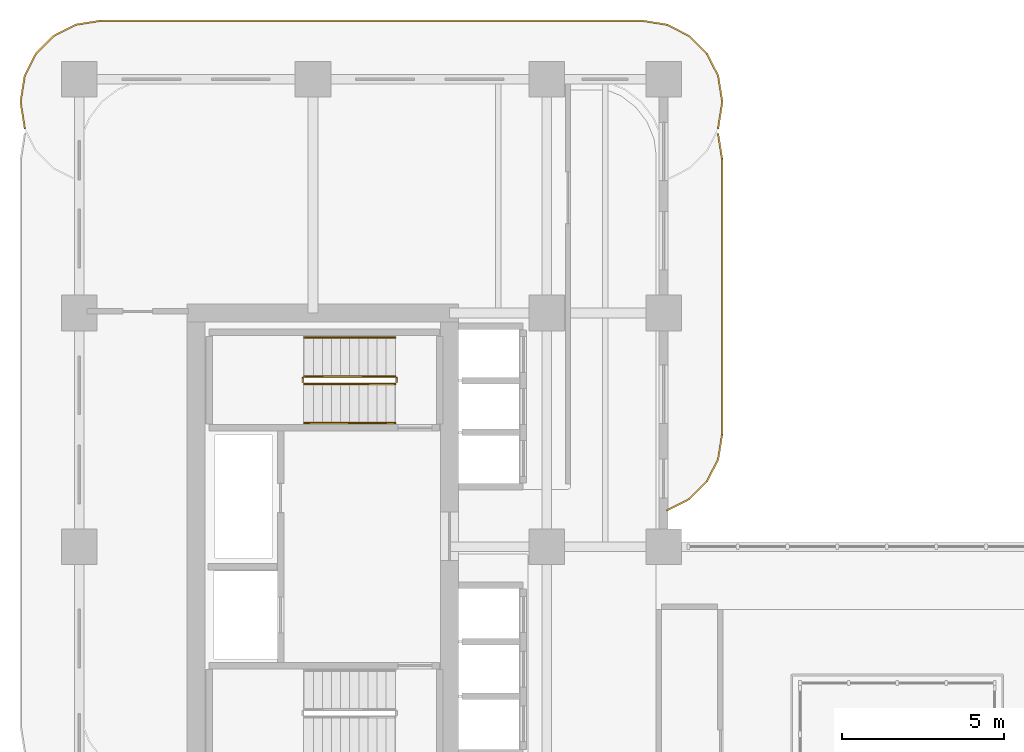
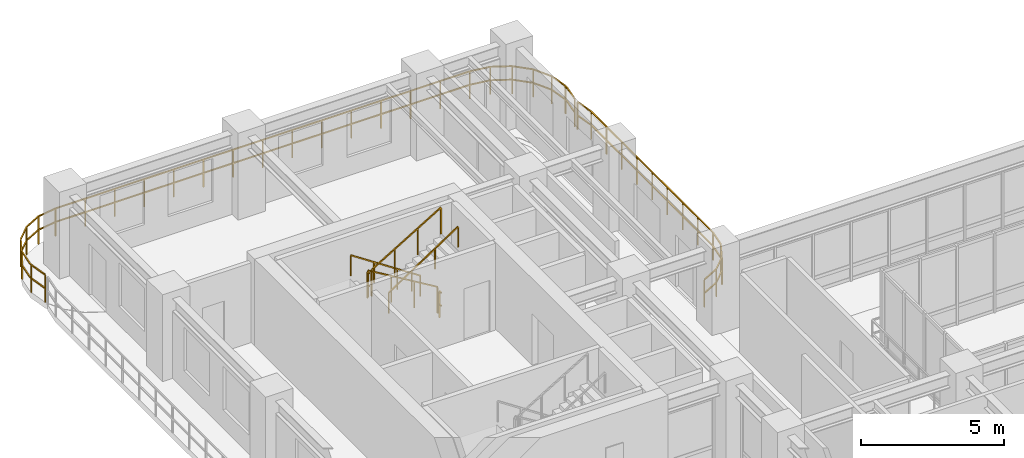
# One storey, part 19 of 19: 8 railings.
"""IFC4 building model written with IfcOpenShell, lengths in metres."""

import ifcopenshell
import ifcopenshell.guid

model = None  # the IFC model being written
_history = None  # IfcOwnerHistory: only IFC2X3 demands one
_inside = {}  # id of a spatial element -> (the spatial element, [elements in it])
_under = {}  # id of a project, library or spatial element -> (it, [spatial elements below it])
_declared = {}  # id of a project -> (the project, [libraries it declares])
_typed = {}  # id of a type object -> (the type object, [elements of that type])
_made_of = {}  # id of a material, layer set ... -> (it, [elements and type objects made of it])


def new_model(schema):
    """Start an empty IFC model of exactly this schema.

    Asked for "IFC4X3", IfcOpenShell would pick the latest addendum, in which some entities
    have other attributes; the version numbers below select the first issue.
    IFC2X3 requires an IfcOwnerHistory on every rooted entity: one is made here for all.
    """
    global model, _history
    if schema == "IFC4X3":
        model = ifcopenshell.file(schema_version=(4, 3, 0, 0))
    else:
        model = ifcopenshell.file(schema=schema)
    _inside.clear()
    _under.clear()
    _declared.clear()
    _typed.clear()
    _made_of.clear()
    _history = None
    if model.schema == "IFC2X3":
        org = make("IfcOrganization", Name="unknown")
        user = make(
            "IfcPersonAndOrganization",
            ThePerson=make("IfcPerson", FamilyName="unknown"),
            TheOrganization=org,
        )
        app = make(
            "IfcApplication",
            ApplicationDeveloper=org,
            Version="unknown",
            ApplicationFullName="unknown",
            ApplicationIdentifier="unknown",
        )
        _history = make(
            "IfcOwnerHistory",
            OwningUser=user,
            OwningApplication=app,
            ChangeAction="ADDED",
            CreationDate=0,
        )
    return model


def make(cls, **values):
    """One entity of the class cls with the attributes given. An attribute that is None is left unset."""
    return model.create_entity(
        cls, **{name: value for name, value in values.items() if value is not None}
    )


def rooted(cls, **values):
    """An entity with a GlobalId (a new one), such as an element, a storey or a relation."""
    return make(cls, GlobalId=ifcopenshell.guid.new(), OwnerHistory=_history, **values)


def si_unit(unit_type, name, prefix=None):
    """IfcSIUnit, for example si_unit("LENGTHUNIT", "METRE", prefix="MILLI")."""
    return make("IfcSIUnit", UnitType=unit_type, Prefix=prefix, Name=name)


def derived_unit(unit_type, elements):
    """IfcDerivedUnit: a product of units, each with its exponent."""
    return make(
        "IfcDerivedUnit",
        Elements=[
            make("IfcDerivedUnitElement", Unit=unit, Exponent=power)
            for unit, power in elements
        ],
        UnitType=unit_type,
    )


def assignment(units):
    """IfcUnitAssignment: the units of a project."""
    return None if units is None else make("IfcUnitAssignment", Units=units)


def point(xyz):
    """IfcCartesianPoint."""
    return None if xyz is None else make("IfcCartesianPoint", Coordinates=xyz)


def direction(xyz):
    """IfcDirection."""
    return None if xyz is None else make("IfcDirection", DirectionRatios=xyz)


def frame(location, z_axis=None, x_axis=None):
    """IfcAxis2Placement3D, a coordinate frame: its origin and axes. An axis left out is left unset."""
    return make(
        "IfcAxis2Placement3D",
        Location=point(location),
        Axis=direction(z_axis),
        RefDirection=direction(x_axis),
    )


def frame_2d(location, x_axis=None):
    """IfcAxis2Placement2D, a coordinate frame in the plane: its origin and x axis."""
    return make(
        "IfcAxis2Placement2D", Location=point(location), RefDirection=direction(x_axis)
    )


def origin():
    """The frame at (0, 0, 0) with its axes left unset."""
    return frame((0.0, 0.0, 0.0))


def origin_2d():
    """The frame at (0, 0) in the plane with its x axis left unset."""
    return frame_2d((0.0, 0.0))


def place(relative_to, where):
    """IfcLocalPlacement: puts the frame where relative to a parent placement (None: the world)."""
    return make(
        "IfcLocalPlacement", PlacementRelTo=relative_to, RelativePlacement=where
    )


def context(
    kind, dimensions, precision=None, world=None, true_north=None, identifier=None
):
    """IfcGeometricRepresentationContext, for example the 3D "Model" context."""
    return make(
        "IfcGeometricRepresentationContext",
        ContextIdentifier=identifier,
        ContextType=kind,
        CoordinateSpaceDimension=dimensions,
        Precision=precision,
        WorldCoordinateSystem=world,
        TrueNorth=true_north,
    )


def subcontext(parent, identifier, kind, view, scale=None):
    """IfcGeometricRepresentationSubContext, for example "Body" below "Model"."""
    return make(
        "IfcGeometricRepresentationSubContext",
        ContextIdentifier=identifier,
        ContextType=kind,
        ParentContext=parent,
        TargetScale=scale,
        TargetView=view,
    )


def project(units=None, contexts=None):
    """IfcProject with its units and contexts."""
    return rooted(
        "IfcProject",
        Name="project",
        RepresentationContexts=contexts,
        UnitsInContext=assignment(units),
    )


def spatial(cls, under=None, at=None, **own):
    """A site, building, storey or space (cls), placed at a placement, below another one or the project."""
    s = rooted(cls, ObjectPlacement=at, **own)
    if under is not None:
        _under.setdefault(under.id(), (under, []))[1].append(s)
    return s


def profile(cls, at=None, kind="AREA", **sizes):
    """A parametric profile (cls). Its sizes go by their IFC names, for example OverallWidth=200.0."""
    return make(cls, ProfileType=kind, Position=at, **sizes)


def rectangle(**sizes):
    """IfcRectangleProfileDef."""
    return profile("IfcRectangleProfileDef", **sizes)


def extrude(swept, where, along, depth):
    """IfcExtrudedAreaSolid: the profile swept, set in the frame where, extruded along a direction by depth."""
    return make(
        "IfcExtrudedAreaSolid",
        SweptArea=swept,
        Position=where,
        ExtrudedDirection=direction(along),
        Depth=depth,
    )


def shape(context_of_items, identifier, shape_type, items):
    """IfcShapeRepresentation: the items that make up one representation, for example the "Body"."""
    return make(
        "IfcShapeRepresentation",
        ContextOfItems=context_of_items,
        RepresentationIdentifier=identifier,
        RepresentationType=shape_type,
        Items=items,
    )


def material(Name=None, Category=None):
    """IfcMaterial."""
    return make("IfcMaterial", Name=Name, Category=Category)


def made_of(thing, what):
    """Note that an element or type object is made of a material, layer set ...; save() writes the relation."""
    if what is not None:
        _made_of.setdefault(what.id(), (what, []))[1].append(thing)
    return thing


def type_object(cls, material=None, **own):
    """A type object (cls), such as IfcWallType, which elements share."""
    return made_of(rooted(cls, **own), material)


def element(
    cls,
    number,
    at=None,
    inside=None,
    cuts=None,
    type_object=None,
    material=None,
    context=None,
    identifier="Body",
    shape_type=None,
    held_by="IfcProductDefinitionShape",
    body=None,
    shapes=None,
    **own,
):
    """One element of the class cls, such as IfcWall. Its Tag is "e" and its number.

    at: its placement. inside: the storey or other place that contains it. cuts: it is an
    opening in that element (IfcRelVoidsElement). A single representation is given by context,
    identifier, shape_type and body (its items); several are given by shapes. held_by: the class
    of the entity that holds the representations. save() writes the other relations.
    """
    e = rooted(cls, Tag="e%d" % number, ObjectPlacement=at, **own)
    if body is not None:
        shapes = [shape(context, identifier, shape_type, body)]
    if shapes is not None:
        e.Representation = make(held_by, Representations=shapes)
    if inside is not None:
        _inside.setdefault(inside.id(), (inside, []))[1].append(e)
    if cuts is not None:
        rooted(
            "IfcRelVoidsElement", RelatingBuildingElement=cuts, RelatedOpeningElement=e
        )
    if type_object is not None:
        _typed.setdefault(type_object.id(), (type_object, []))[1].append(e)
    return made_of(e, material)


def aggregate(whole, parts):
    """IfcRelAggregates: a whole, such as a stair, and the parts it consists of."""
    return rooted("IfcRelAggregates", RelatingObject=whole, RelatedObjects=parts)


def save(model, path):
    """Write the relations noted so far, then the file.

    IfcRelAggregates (storeys below a building ...), IfcRelContainedInSpatialStructure (elements
    in a storey), IfcRelDefinesByType, IfcRelAssociatesMaterial and IfcRelDeclares: one each for
    every whole, place, type object, material and project.
    """
    for whole, parts in _under.values():
        aggregate(whole, parts)
    for where, things in _inside.values():
        rooted(
            "IfcRelContainedInSpatialStructure",
            RelatedElements=things,
            RelatingStructure=where,
        )
    for kind, things in _typed.values():
        rooted("IfcRelDefinesByType", RelatedObjects=things, RelatingType=kind)
    for what, things in _made_of.values():
        rooted("IfcRelAssociatesMaterial", RelatedObjects=things, RelatingMaterial=what)
    for by, libraries in _declared.values():
        rooted("IfcRelDeclares", RelatingContext=by, RelatedDefinitions=libraries)
    model.write(path)


model = new_model("IFC4")

# Units and contexts
model_context = context("Model", 3, precision=1e-05, world=origin(), true_north=direction((0.0, 1.0)))
body_context = subcontext(model_context, "Body", "Model", "MODEL_VIEW")
ifc_project = project(units=[si_unit("LENGTHUNIT", "METRE"), si_unit("AREAUNIT", "SQUARE_METRE"), si_unit("VOLUMEUNIT", "CUBIC_METRE"), si_unit("PLANEANGLEUNIT", "RADIAN"), si_unit("MASSUNIT", "GRAM", prefix="KILO"), si_unit("THERMODYNAMICTEMPERATUREUNIT", "KELVIN"), si_unit("POWERUNIT", "WATT"), derived_unit("THERMALTRANSMITTANCEUNIT", [(si_unit("POWERUNIT", "WATT"), 1), (si_unit("AREAUNIT", "SQUARE_METRE"), -1), (si_unit("THERMODYNAMICTEMPERATUREUNIT", "KELVIN"), -1)])], contexts=[model_context])

# Site, building, storey
site_placement = place(None, origin())
site = spatial("IfcSite", under=ifc_project, at=site_placement, CompositionType="ELEMENT")
building_placement = place(site_placement, origin())
building = spatial("IfcBuilding", under=site, at=building_placement, Name="Zahravan Archway Hotel and Residences", CompositionType="ELEMENT")
storey_placement = place(building_placement, frame((0.0, 0.0, 102.699951171875)))
storey = spatial("IfcBuildingStorey", under=building, at=storey_placement, Name="L25", CompositionType="ELEMENT", Elevation=102.699951171875)

# Railings
ifc_material_1 = material(Name="Bronze & Laminated Glass Balustrade", Category="glass")
railing_type_1 = type_object("IfcRailingType", Name="RL-BAL-1200", PredefinedType="BALUSTRADE", material=ifc_material_1)
railing_1_placement = place(storey_placement, frame((-1.68017578125, 45.29296875, 0.0)))
element("IfcRailing", 1, at=railing_1_placement, inside=storey, type_object=railing_type_1, Name="L25 Balustrade RL-SLB-BAL-L25-NB-1", PredefinedType="BALUSTRADE", context=body_context, shape_type="SweptSolid", body=[
    extrude(rectangle(XDim=0.048095703125, YDim=0.048095703125, at=origin_2d()), frame((0.0, 0.0, 1.17578125), z_axis=(-0.156387811283, 0.987695728695, 0.0), x_axis=(-0.987695728695, -0.156387811283, 0.0)), (0.0, 0.0, 1.0), 0.7666015625),
    extrude(rectangle(XDim=0.048095703125, YDim=0.048095703125, at=origin_2d()), frame((0.0, 0.0, 0.60009765625), z_axis=(-0.156387811283, 0.987695728695, 0.0), x_axis=(-0.987695728695, -0.156387811283, 0.0)), (0.0, 0.0, 1.0), 0.7666015625),
    extrude(rectangle(XDim=0.048095703125, YDim=0.048095703125, at=origin_2d()), frame((-0.119873046875, 0.757080078125, 1.17578125), z_axis=(0.0, 1.0, 0.0), x_axis=(-1.0, 0.0, 0.0)), (0.0, 0.0, 1.0), 0.099853515625),
    extrude(rectangle(XDim=0.048095703125, YDim=0.048095703125, at=origin_2d()), frame((-0.119873046875, 0.757080078125, 0.60009765625), z_axis=(0.0, 1.0, 0.0), x_axis=(-1.0, 0.0, 0.0)), (0.0, 0.0, 1.0), 0.099853515625),
    extrude(rectangle(XDim=0.048095703125, YDim=0.048095703125, at=origin_2d()), frame((-0.119873046875, 0.85693359375, 1.17578125), z_axis=(0.156387811283, 0.987695728695, 0.0), x_axis=(-0.987695728695, 0.156387811283, 0.0)), (0.0, 0.0, 1.0), 0.7666015625),
    extrude(rectangle(XDim=0.048095703125, YDim=0.048095703125, at=origin_2d()), frame((-0.119873046875, 0.85693359375, 0.60009765625), z_axis=(0.156387811283, 0.987695728695, 0.0), x_axis=(-0.987695728695, 0.156387811283, 0.0)), (0.0, 0.0, 1.0), 0.7666015625),
    extrude(rectangle(XDim=0.048095703125, YDim=0.048095703125, at=origin_2d()), frame((0.0, 1.614013671875, 1.17578125), z_axis=(0.454078418624, 0.890961721815, 0.0), x_axis=(-0.890961721815, 0.454078418624, 0.0)), (0.0, 0.0, 1.0), 0.7666015625),
    extrude(rectangle(XDim=0.048095703125, YDim=0.048095703125, at=origin_2d()), frame((0.0, 1.614013671875, 0.60009765625), z_axis=(0.454078418624, 0.890961721815, 0.0), x_axis=(-0.890961721815, 0.454078418624, 0.0)), (0.0, 0.0, 1.0), 0.7666015625),
    extrude(rectangle(XDim=0.048095703125, YDim=0.048095703125, at=origin_2d()), frame((0.34814453125, 2.297119140625, 1.17578125), z_axis=(0.707106781187, 0.707106781187, 0.0), x_axis=(-0.707106781187, 0.707106781187, 0.0)), (0.0, 0.0, 1.0), 0.7666015625),
    extrude(rectangle(XDim=0.048095703125, YDim=0.048095703125, at=origin_2d()), frame((0.34814453125, 2.297119140625, 0.60009765625), z_axis=(0.707106781187, 0.707106781187, 0.0), x_axis=(-0.707106781187, 0.707106781187, 0.0)), (0.0, 0.0, 1.0), 0.7666015625),
    extrude(rectangle(XDim=0.048095703125, YDim=0.048095703125, at=origin_2d()), frame((0.89013671875, 2.839111328125, 1.17578125), z_axis=(0.891024909783, 0.453954414172, 0.0), x_axis=(-0.453954414172, 0.891024909783, 0.0)), (0.0, 0.0, 1.0), 0.766357421875),
    extrude(rectangle(XDim=0.048095703125, YDim=0.048095703125, at=origin_2d()), frame((0.89013671875, 2.839111328125, 0.60009765625), z_axis=(0.891024909783, 0.453954414172, 0.0), x_axis=(-0.453954414172, 0.891024909783, 0.0)), (0.0, 0.0, 1.0), 0.766357421875),
    extrude(rectangle(XDim=0.048095703125, YDim=0.048095703125, at=origin_2d()), frame((1.572998046875, 3.18701171875, 1.17578125), z_axis=(0.987646484274, 0.156698507018, 0.0), x_axis=(-0.156698507018, 0.987646484274, 0.0)), (0.0, 0.0, 1.0), 0.7666015625),
    extrude(rectangle(XDim=0.048095703125, YDim=0.048095703125, at=origin_2d()), frame((1.572998046875, 3.18701171875, 0.60009765625), z_axis=(0.987646484274, 0.156698507018, 0.0), x_axis=(-0.156698507018, 0.987646484274, 0.0)), (0.0, 0.0, 1.0), 0.7666015625),
    extrude(rectangle(XDim=0.048095703125, YDim=0.048095703125, at=origin_2d()), frame((2.330078125, 3.30712890625, 1.17578125), z_axis=(1.0, 0.0, 0.0), x_axis=(0.0, 1.0, 0.0)), (0.0, 0.0, 1.0), 16.7001953125),
    extrude(rectangle(XDim=0.048095703125, YDim=0.048095703125, at=origin_2d()), frame((2.330078125, 3.30712890625, 0.60009765625), z_axis=(1.0, 0.0, 0.0), x_axis=(0.0, 1.0, 0.0)), (0.0, 0.0, 1.0), 16.7001953125),
    extrude(rectangle(XDim=0.048095703125, YDim=0.048095703125, at=origin_2d()), frame((19.0302734375, 3.30712890625, 1.17578125), z_axis=(0.987646484274, -0.156698507018, 0.0), x_axis=(0.156698507018, 0.987646484274, 0.0)), (0.0, 0.0, 1.0), 0.7666015625),
    extrude(rectangle(XDim=0.048095703125, YDim=0.048095703125, at=origin_2d()), frame((19.0302734375, 3.30712890625, 0.60009765625), z_axis=(0.987646484274, -0.156698507018, 0.0), x_axis=(0.156698507018, 0.987646484274, 0.0)), (0.0, 0.0, 1.0), 0.7666015625),
    extrude(rectangle(XDim=0.048095703125, YDim=0.048095703125, at=origin_2d()), frame((19.787353515625, 3.18701171875, 1.17578125), z_axis=(0.891024909783, -0.453954414172, 0.0), x_axis=(0.453954414172, 0.891024909783, 0.0)), (0.0, 0.0, 1.0), 0.766357421875),
    extrude(rectangle(XDim=0.048095703125, YDim=0.048095703125, at=origin_2d()), frame((19.787353515625, 3.18701171875, 0.60009765625), z_axis=(0.891024909783, -0.453954414172, 0.0), x_axis=(0.453954414172, 0.891024909783, 0.0)), (0.0, 0.0, 1.0), 0.766357421875),
    extrude(rectangle(XDim=0.048095703125, YDim=0.048095703125, at=origin_2d()), frame((20.47021484375, 2.839111328125, 1.17578125), z_axis=(0.707106781187, -0.707106781187, 0.0), x_axis=(0.707106781187, 0.707106781187, 0.0)), (0.0, 0.0, 1.0), 0.7666015625),
    extrude(rectangle(XDim=0.048095703125, YDim=0.048095703125, at=origin_2d()), frame((20.47021484375, 2.839111328125, 0.60009765625), z_axis=(0.707106781187, -0.707106781187, 0.0), x_axis=(0.707106781187, 0.707106781187, 0.0)), (0.0, 0.0, 1.0), 0.7666015625),
    extrude(rectangle(XDim=0.048095703125, YDim=0.048095703125, at=origin_2d()), frame((21.01220703125, 2.297119140625, 1.17578125), z_axis=(0.454078418624, -0.890961721815, 0.0), x_axis=(0.890961721815, 0.454078418624, 0.0)), (0.0, 0.0, 1.0), 0.7666015625),
    extrude(rectangle(XDim=0.048095703125, YDim=0.048095703125, at=origin_2d()), frame((21.01220703125, 2.297119140625, 0.60009765625), z_axis=(0.454078418624, -0.890961721815, 0.0), x_axis=(0.890961721815, 0.454078418624, 0.0)), (0.0, 0.0, 1.0), 0.7666015625),
    extrude(rectangle(XDim=0.048095703125, YDim=0.048095703125, at=origin_2d()), frame((21.3603515625, 1.614013671875, 1.17578125), z_axis=(0.156387811283, -0.987695728695, 0.0), x_axis=(0.987695728695, 0.156387811283, 0.0)), (0.0, 0.0, 1.0), 0.7666015625),
    extrude(rectangle(XDim=0.048095703125, YDim=0.048095703125, at=origin_2d()), frame((21.3603515625, 1.614013671875, 0.60009765625), z_axis=(0.156387811283, -0.987695728695, 0.0), x_axis=(0.987695728695, 0.156387811283, 0.0)), (0.0, 0.0, 1.0), 0.7666015625),
    extrude(rectangle(XDim=0.048095703125, YDim=0.048095703125, at=origin_2d()), frame((21.480224609375, 0.85693359375, 1.17578125), z_axis=(0.0, -1.0, 0.0), x_axis=(1.0, 0.0, 0.0)), (0.0, 0.0, 1.0), 0.099853515625),
    extrude(rectangle(XDim=0.048095703125, YDim=0.048095703125, at=origin_2d()), frame((21.480224609375, 0.85693359375, 0.60009765625), z_axis=(0.0, -1.0, 0.0), x_axis=(1.0, 0.0, 0.0)), (0.0, 0.0, 1.0), 0.099853515625),
    extrude(rectangle(XDim=0.048095703125, YDim=0.048095703125, at=origin_2d()), frame((21.480224609375, 0.757080078125, 1.17578125), z_axis=(-0.156387811283, -0.987695728695, 0.0), x_axis=(0.987695728695, -0.156387811283, 0.0)), (0.0, 0.0, 1.0), 0.7666015625),
    extrude(rectangle(XDim=0.048095703125, YDim=0.048095703125, at=origin_2d()), frame((21.480224609375, 0.757080078125, 0.60009765625), z_axis=(-0.156387811283, -0.987695728695, 0.0), x_axis=(0.987695728695, -0.156387811283, 0.0)), (0.0, 0.0, 1.0), 0.7666015625),
    extrude(rectangle(XDim=0.0419921875, YDim=0.0419921875, at=origin_2d()), origin(), (0.0, 0.0, 1.0), 1.15185546875),
    extrude(rectangle(XDim=0.0419921875, YDim=0.0419921875, at=origin_2d()), frame((-0.119873046875, 0.757080078125, 0.0)), (0.0, 0.0, 1.0), 1.15185546875),
    extrude(rectangle(XDim=0.0419921875, YDim=0.0419921875, at=origin_2d()), frame((0.0, 1.614013671875, 0.0)), (0.0, 0.0, 1.0), 1.15185546875),
    extrude(rectangle(XDim=0.0419921875, YDim=0.0419921875, at=origin_2d()), frame((0.34814453125, 2.297119140625, 0.0)), (0.0, 0.0, 1.0), 1.15185546875),
    extrude(rectangle(XDim=0.0419921875, YDim=0.0419921875, at=origin_2d()), frame((0.89013671875, 2.839111328125, 0.0)), (0.0, 0.0, 1.0), 1.15185546875),
    extrude(rectangle(XDim=0.0419921875, YDim=0.0419921875, at=origin_2d()), frame((1.572998046875, 3.18701171875, 0.0)), (0.0, 0.0, 1.0), 1.15185546875),
    extrude(rectangle(XDim=0.0419921875, YDim=0.0419921875, at=origin_2d()), frame((2.330078125, 3.30712890625, 0.0)), (0.0, 0.0, 1.0), 1.15185546875),
    extrude(rectangle(XDim=0.0419921875, YDim=0.0419921875, at=origin_2d()), frame((3.52294921875, 3.30712890625, 0.0)), (0.0, 0.0, 1.0), 1.15185546875),
    extrude(rectangle(XDim=0.0419921875, YDim=0.0419921875, at=origin_2d()), frame((4.7158203125, 3.30712890625, 0.0)), (0.0, 0.0, 1.0), 1.15185546875),
    extrude(rectangle(XDim=0.0419921875, YDim=0.0419921875, at=origin_2d()), frame((5.90869140625, 3.30712890625, 0.0)), (0.0, 0.0, 1.0), 1.15185546875),
    extrude(rectangle(XDim=0.0419921875, YDim=0.0419921875, at=origin_2d()), frame((7.1015625, 3.30712890625, 0.0)), (0.0, 0.0, 1.0), 1.15185546875),
    extrude(rectangle(XDim=0.0419921875, YDim=0.0419921875, at=origin_2d()), frame((8.29443359375, 3.30712890625, 0.0)), (0.0, 0.0, 1.0), 1.15185546875),
    extrude(rectangle(XDim=0.0419921875, YDim=0.0419921875, at=origin_2d()), frame((9.4873046875, 3.30712890625, 0.0)), (0.0, 0.0, 1.0), 1.15185546875),
    extrude(rectangle(XDim=0.0419921875, YDim=0.0419921875, at=origin_2d()), frame((10.68017578125, 3.30712890625, 0.0)), (0.0, 0.0, 1.0), 1.15185546875),
    extrude(rectangle(XDim=0.0419921875, YDim=0.0419921875, at=origin_2d()), frame((11.873046875, 3.30712890625, 0.0)), (0.0, 0.0, 1.0), 1.15185546875),
    extrude(rectangle(XDim=0.0419921875, YDim=0.0419921875, at=origin_2d()), frame((13.06591796875, 3.30712890625, 0.0)), (0.0, 0.0, 1.0), 1.15185546875),
    extrude(rectangle(XDim=0.0419921875, YDim=0.0419921875, at=origin_2d()), frame((14.2587890625, 3.30712890625, 0.0)), (0.0, 0.0, 1.0), 1.15185546875),
    extrude(rectangle(XDim=0.0419921875, YDim=0.0419921875, at=origin_2d()), frame((15.45166015625, 3.30712890625, 0.0)), (0.0, 0.0, 1.0), 1.15185546875),
    extrude(rectangle(XDim=0.0419921875, YDim=0.0419921875, at=origin_2d()), frame((16.64453125, 3.30712890625, 0.0)), (0.0, 0.0, 1.0), 1.15185546875),
    extrude(rectangle(XDim=0.0419921875, YDim=0.0419921875, at=origin_2d()), frame((17.83740234375, 3.30712890625, 0.0)), (0.0, 0.0, 1.0), 1.15185546875),
    extrude(rectangle(XDim=0.0419921875, YDim=0.0419921875, at=origin_2d()), frame((19.0302734375, 3.30712890625, 0.0)), (0.0, 0.0, 1.0), 1.15185546875),
    extrude(rectangle(XDim=0.0419921875, YDim=0.0419921875, at=origin_2d()), frame((19.787353515625, 3.18701171875, 0.0)), (0.0, 0.0, 1.0), 1.15185546875),
    extrude(rectangle(XDim=0.0419921875, YDim=0.0419921875, at=origin_2d()), frame((20.47021484375, 2.839111328125, 0.0)), (0.0, 0.0, 1.0), 1.15185546875),
    extrude(rectangle(XDim=0.0419921875, YDim=0.0419921875, at=origin_2d()), frame((21.01220703125, 2.297119140625, 0.0)), (0.0, 0.0, 1.0), 1.15185546875),
    extrude(rectangle(XDim=0.0419921875, YDim=0.0419921875, at=origin_2d()), frame((21.3603515625, 1.614013671875, 0.0)), (0.0, 0.0, 1.0), 1.15185546875),
    extrude(rectangle(XDim=0.0419921875, YDim=0.0419921875, at=origin_2d()), frame((21.480224609375, 0.85693359375, 0.0)), (0.0, 0.0, 1.0), 1.15185546875),
    extrude(rectangle(XDim=0.0419921875, YDim=0.0419921875, at=origin_2d()), frame((21.3603515625, 0.0, 0.0)), (0.0, 0.0, 1.0), 1.15185546875),
])
railing_2_placement = place(storey_placement, frame((19.68017578125, 45.107177734375, 0.0)))
element("IfcRailing", 2, at=railing_2_placement, inside=storey, type_object=railing_type_1, Name="L25 Balustrade RL-SLB-BAL-L25-EB-1", PredefinedType="BALUSTRADE", context=body_context, shape_type="SweptSolid", body=[
    extrude(rectangle(XDim=0.048095703125, YDim=0.048095703125, at=origin_2d()), frame((0.0, 0.0, 1.17578125), z_axis=(0.156387811283, -0.987695728695, 0.0), x_axis=(0.987695728695, 0.156387811283, 0.0)), (0.0, 0.0, 1.0), 0.7666015625),
    extrude(rectangle(XDim=0.048095703125, YDim=0.048095703125, at=origin_2d()), frame((0.0, 0.0, 0.60009765625), z_axis=(0.156387811283, -0.987695728695, 0.0), x_axis=(0.987695728695, 0.156387811283, 0.0)), (0.0, 0.0, 1.0), 0.7666015625),
    extrude(rectangle(XDim=0.048095703125, YDim=0.048095703125, at=origin_2d()), frame((0.119873046875, -0.757080078125, 1.17578125), z_axis=(0.0, -1.0, 0.0), x_axis=(1.0, 0.0, 0.0)), (0.0, 0.0, 1.0), 8.5),
    extrude(rectangle(XDim=0.048095703125, YDim=0.048095703125, at=origin_2d()), frame((0.119873046875, -0.757080078125, 0.60009765625), z_axis=(0.0, -1.0, 0.0), x_axis=(1.0, 0.0, 0.0)), (0.0, 0.0, 1.0), 8.5),
    extrude(rectangle(XDim=0.048095703125, YDim=0.048095703125, at=origin_2d()), frame((0.119873046875, -9.257080078125, 1.17578125), z_axis=(-0.156387811283, -0.987695728695, 0.0), x_axis=(0.987695728695, -0.156387811283, 0.0)), (0.0, 0.0, 1.0), 0.7666015625),
    extrude(rectangle(XDim=0.048095703125, YDim=0.048095703125, at=origin_2d()), frame((0.119873046875, -9.257080078125, 0.60009765625), z_axis=(-0.156387811283, -0.987695728695, 0.0), x_axis=(0.987695728695, -0.156387811283, 0.0)), (0.0, 0.0, 1.0), 0.7666015625),
    extrude(rectangle(XDim=0.048095703125, YDim=0.048095703125, at=origin_2d()), frame((0.0, -10.01416015625, 1.17578125), z_axis=(-0.454078418624, -0.890961721815, 0.0), x_axis=(0.890961721815, -0.454078418624, 0.0)), (0.0, 0.0, 1.0), 0.7666015625),
    extrude(rectangle(XDim=0.048095703125, YDim=0.048095703125, at=origin_2d()), frame((0.0, -10.01416015625, 0.60009765625), z_axis=(-0.454078418624, -0.890961721815, 0.0), x_axis=(0.890961721815, -0.454078418624, 0.0)), (0.0, 0.0, 1.0), 0.7666015625),
    extrude(rectangle(XDim=0.048095703125, YDim=0.048095703125, at=origin_2d()), frame((-0.34814453125, -10.697265625, 1.17578125), z_axis=(-0.707106781187, -0.707106781187, 0.0), x_axis=(0.707106781187, -0.707106781187, 0.0)), (0.0, 0.0, 1.0), 0.7666015625),
    extrude(rectangle(XDim=0.048095703125, YDim=0.048095703125, at=origin_2d()), frame((-0.34814453125, -10.697265625, 0.60009765625), z_axis=(-0.707106781187, -0.707106781187, 0.0), x_axis=(0.707106781187, -0.707106781187, 0.0)), (0.0, 0.0, 1.0), 0.7666015625),
    extrude(rectangle(XDim=0.048095703125, YDim=0.048095703125, at=origin_2d()), frame((-0.89013671875, -11.2392578125, 1.17578125), z_axis=(-0.891024909783, -0.453954414172, 0.0), x_axis=(0.453954414172, -0.891024909783, 0.0)), (0.0, 0.0, 1.0), 0.766357421875),
    extrude(rectangle(XDim=0.048095703125, YDim=0.048095703125, at=origin_2d()), frame((-0.89013671875, -11.2392578125, 0.60009765625), z_axis=(-0.891024909783, -0.453954414172, 0.0), x_axis=(0.453954414172, -0.891024909783, 0.0)), (0.0, 0.0, 1.0), 0.766357421875),
    extrude(rectangle(XDim=0.0419921875, YDim=0.0419921875, at=origin_2d()), origin(), (0.0, 0.0, 1.0), 1.15185546875),
    extrude(rectangle(XDim=0.0419921875, YDim=0.0419921875, at=origin_2d()), frame((0.119873046875, -0.757080078125, 0.0)), (0.0, 0.0, 1.0), 1.15185546875),
    extrude(rectangle(XDim=0.0419921875, YDim=0.0419921875, at=origin_2d()), frame((0.119873046875, -1.819580078125, 0.0)), (0.0, 0.0, 1.0), 1.15185546875),
    extrude(rectangle(XDim=0.0419921875, YDim=0.0419921875, at=origin_2d()), frame((0.119873046875, -2.882080078125, 0.0)), (0.0, 0.0, 1.0), 1.15185546875),
    extrude(rectangle(XDim=0.0419921875, YDim=0.0419921875, at=origin_2d()), frame((0.119873046875, -3.944580078125, 0.0)), (0.0, 0.0, 1.0), 1.15185546875),
    extrude(rectangle(XDim=0.0419921875, YDim=0.0419921875, at=origin_2d()), frame((0.119873046875, -5.007080078125, 0.0)), (0.0, 0.0, 1.0), 1.15185546875),
    extrude(rectangle(XDim=0.0419921875, YDim=0.0419921875, at=origin_2d()), frame((0.119873046875, -6.069580078125, 0.0)), (0.0, 0.0, 1.0), 1.15185546875),
    extrude(rectangle(XDim=0.0419921875, YDim=0.0419921875, at=origin_2d()), frame((0.119873046875, -7.132080078125, 0.0)), (0.0, 0.0, 1.0), 1.15185546875),
    extrude(rectangle(XDim=0.0419921875, YDim=0.0419921875, at=origin_2d()), frame((0.119873046875, -8.194580078125, 0.0)), (0.0, 0.0, 1.0), 1.15185546875),
    extrude(rectangle(XDim=0.0419921875, YDim=0.0419921875, at=origin_2d()), frame((0.119873046875, -9.257080078125, 0.0)), (0.0, 0.0, 1.0), 1.15185546875),
    extrude(rectangle(XDim=0.0419921875, YDim=0.0419921875, at=origin_2d()), frame((0.0, -10.01416015625, 0.0)), (0.0, 0.0, 1.0), 1.15185546875),
    extrude(rectangle(XDim=0.0419921875, YDim=0.0419921875, at=origin_2d()), frame((-0.34814453125, -10.697265625, 0.0)), (0.0, 0.0, 1.0), 1.15185546875),
    extrude(rectangle(XDim=0.0419921875, YDim=0.0419921875, at=origin_2d()), frame((-0.89013671875, -11.2392578125, 0.0)), (0.0, 0.0, 1.0), 1.15185546875),
    extrude(rectangle(XDim=0.0419921875, YDim=0.0419921875, at=origin_2d()), frame((-1.572998046875, -11.587158203125, 0.0)), (0.0, 0.0, 1.0), 1.15185546875),
])
ifc_material_2 = material(Name="Painted Tubular Steel", Category="steel")
railing_type_2 = type_object("IfcRailingType", Name="RL-STG-1150", PredefinedType="GUARDRAIL", material=ifc_material_2)
railing_3_placement = place(storey_placement, frame((9.72998046875, 37.64990234375, 0.168212890625)))
element("IfcRailing", 3, at=railing_3_placement, inside=storey, type_object=railing_type_2, Name="L25 ST-B2 stair guard 1", PredefinedType="GUARDRAIL", context=body_context, shape_type="SweptSolid", body=[
    extrude(rectangle(XDim=0.048095703125, YDim=0.048095703125, at=origin_2d()), frame((0.0, 0.0, 1.1259765625), z_axis=(-0.857242210791, 0.0, 0.514913383045), x_axis=(0.0, -1.0, 0.0)), (0.0, 0.0, 1.0), 3.266357421875),
    extrude(rectangle(XDim=0.0419921875, YDim=0.0419921875, at=origin_2d()), origin(), (0.0, 0.0, 1.0), 1.101806640625),
    extrude(rectangle(XDim=0.0419921875, YDim=0.0419921875, at=origin_2d()), frame((-0.933349609375, 0.0, 0.560546875)), (0.0, 0.0, 1.0), 1.101806640625),
    extrude(rectangle(XDim=0.0419921875, YDim=0.0419921875, at=origin_2d()), frame((-1.86669921875, 0.0, 1.121337890625)), (0.0, 0.0, 1.0), 1.101806640625),
    extrude(rectangle(XDim=0.0419921875, YDim=0.0419921875, at=origin_2d()), frame((-2.800048828125, 0.0, 1.681884765625)), (0.0, 0.0, 1.0), 1.101806640625),
])
railing_4_placement = place(storey_placement, frame((6.8798828125, 37.60009765625, 1.85009765625)))
element("IfcRailing", 4, at=railing_4_placement, inside=storey, type_object=railing_type_2, Name="L25 ST-B2 stair guard 2", PredefinedType="GUARDRAIL", context=body_context, shape_type="SweptSolid", body=[
    extrude(rectangle(XDim=0.048095703125, YDim=0.048095703125, at=origin_2d()), frame((0.0, 0.0, 1.1259765625), z_axis=(0.0, -1.0, 0.0), x_axis=(1.0, 0.0, 0.0)), (0.0, 0.0, 1.0), 0.14013671875),
    extrude(rectangle(XDim=0.048095703125, YDim=0.048095703125, at=origin_2d()), frame((0.0, 0.0, 0.574951171875), z_axis=(0.0, -1.0, 0.0), x_axis=(1.0, 0.0, 0.0)), (0.0, 0.0, 1.0), 0.14013671875),
    extrude(rectangle(XDim=0.0419921875, YDim=0.0419921875, at=origin_2d()), origin(), (0.0, 0.0, 1.0), 1.101806640625),
])
railing_5_placement = place(storey_placement, frame((6.929931640625, 37.409912109375, 2.018310546875)))
element("IfcRailing", 5, at=railing_5_placement, inside=storey, type_object=railing_type_2, Name="L25 ST-B2 stair guard 3", PredefinedType="GUARDRAIL", context=body_context, shape_type="SweptSolid", body=[
    extrude(rectangle(XDim=0.048095703125, YDim=0.048095703125, at=origin_2d()), frame((0.0, 0.0, 1.1259765625), z_axis=(0.857275202839, 0.0, 0.514858452973), x_axis=(0.0, 1.0, 0.0)), (0.0, 0.0, 1.0), 3.26611328125),
    extrude(rectangle(XDim=0.0419921875, YDim=0.0419921875, at=origin_2d()), origin(), (0.0, 0.0, 1.0), 1.101806640625),
    extrude(rectangle(XDim=0.0419921875, YDim=0.0419921875, at=origin_2d()), frame((0.933349609375, 0.0, 0.560546875)), (0.0, 0.0, 1.0), 1.101806640625),
    extrude(rectangle(XDim=0.0419921875, YDim=0.0419921875, at=origin_2d()), frame((1.86669921875, 0.0, 1.12109375)), (0.0, 0.0, 1.0), 1.101806640625),
    extrude(rectangle(XDim=0.0419921875, YDim=0.0419921875, at=origin_2d()), frame((2.800048828125, 0.0, 1.681640625)), (0.0, 0.0, 1.0), 1.101806640625),
])
railing_6_placement = place(storey_placement, frame((9.780029296875, 37.60009765625, 0.0)))
element("IfcRailing", 6, at=railing_6_placement, inside=storey, type_object=railing_type_2, Name="L25 ST-B2 stair guard 4", PredefinedType="GUARDRAIL", context=body_context, shape_type="SweptSolid", body=[
    extrude(rectangle(XDim=0.048095703125, YDim=0.048095703125, at=origin_2d()), frame((0.0, 0.0, 1.1259765625), z_axis=(0.0, -1.0, 0.0), x_axis=(1.0, 0.0, 0.0)), (0.0, 0.0, 1.0), 0.14013671875),
    extrude(rectangle(XDim=0.048095703125, YDim=0.048095703125, at=origin_2d()), frame((0.0, 0.0, 0.574951171875), z_axis=(0.0, -1.0, 0.0), x_axis=(1.0, 0.0, 0.0)), (0.0, 0.0, 1.0), 0.14013671875),
    extrude(rectangle(XDim=0.0419921875, YDim=0.0419921875, at=origin_2d()), origin(), (0.0, 0.0, 1.0), 1.101806640625),
])
ifc_material_3 = material(Name="Brushed Stainless Steel", Category="steel")
railing_type_3 = type_object("IfcRailingType", Name="RL-STH-900", PredefinedType="HANDRAIL", material=ifc_material_3)
railing_7_placement = place(storey_placement, frame((9.72998046875, 38.85009765625, 0.168212890625)))
element("IfcRailing", 7, at=railing_7_placement, inside=storey, type_object=railing_type_3, Name="L25 ST-B2 stair handrail 1", PredefinedType="HANDRAIL", context=body_context, shape_type="SweptSolid", body=[
    extrude(rectangle(XDim=0.048095703125, YDim=0.048095703125, at=origin_2d()), frame((0.0, 0.0, 0.8759765625), z_axis=(-0.834326358476, 0.0, 0.551270829586), x_axis=(0.0, -1.0, 0.0)), (0.0, 0.0, 1.0), 3.35595703125),
    extrude(rectangle(XDim=0.0419921875, YDim=0.0419921875, at=origin_2d()), origin(), (0.0, 0.0, 1.0), 0.851806640625),
    extrude(rectangle(XDim=0.0419921875, YDim=0.0419921875, at=origin_2d()), frame((-0.933349609375, 0.0, 0.61669921875)), (0.0, 0.0, 1.0), 0.851806640625),
    extrude(rectangle(XDim=0.0419921875, YDim=0.0419921875, at=origin_2d()), frame((-1.86669921875, 0.0, 1.2333984375)), (0.0, 0.0, 1.0), 0.851806640625),
    extrude(rectangle(XDim=0.0419921875, YDim=0.0419921875, at=origin_2d()), frame((-2.800048828125, 0.0, 1.85009765625)), (0.0, 0.0, 1.0), 0.851806640625),
])
railing_8_placement = place(storey_placement, frame((6.929931640625, 36.2099609375, 2.018310546875)))
element("IfcRailing", 8, at=railing_8_placement, inside=storey, type_object=railing_type_3, Name="L25 ST-B2 stair handrail 2", PredefinedType="HANDRAIL", context=body_context, shape_type="SweptSolid", body=[
    extrude(rectangle(XDim=0.048095703125, YDim=0.048095703125, at=origin_2d()), frame((0.0, 0.0, 0.8759765625), z_axis=(0.83435981716, 0.0, 0.551220187865), x_axis=(0.0, 1.0, 0.0)), (0.0, 0.0, 1.0), 3.35595703125),
    extrude(rectangle(XDim=0.0419921875, YDim=0.0419921875, at=origin_2d()), origin(), (0.0, 0.0, 1.0), 0.851806640625),
    extrude(rectangle(XDim=0.0419921875, YDim=0.0419921875, at=origin_2d()), frame((0.933349609375, 0.0, 0.61669921875)), (0.0, 0.0, 1.0), 0.851806640625),
    extrude(rectangle(XDim=0.0419921875, YDim=0.0419921875, at=origin_2d()), frame((1.86669921875, 0.0, 1.233154296875)), (0.0, 0.0, 1.0), 0.851806640625),
    extrude(rectangle(XDim=0.0419921875, YDim=0.0419921875, at=origin_2d()), frame((2.800048828125, 0.0, 1.849853515625)), (0.0, 0.0, 1.0), 0.851806640625),
])

save(model, "model.ifc")
